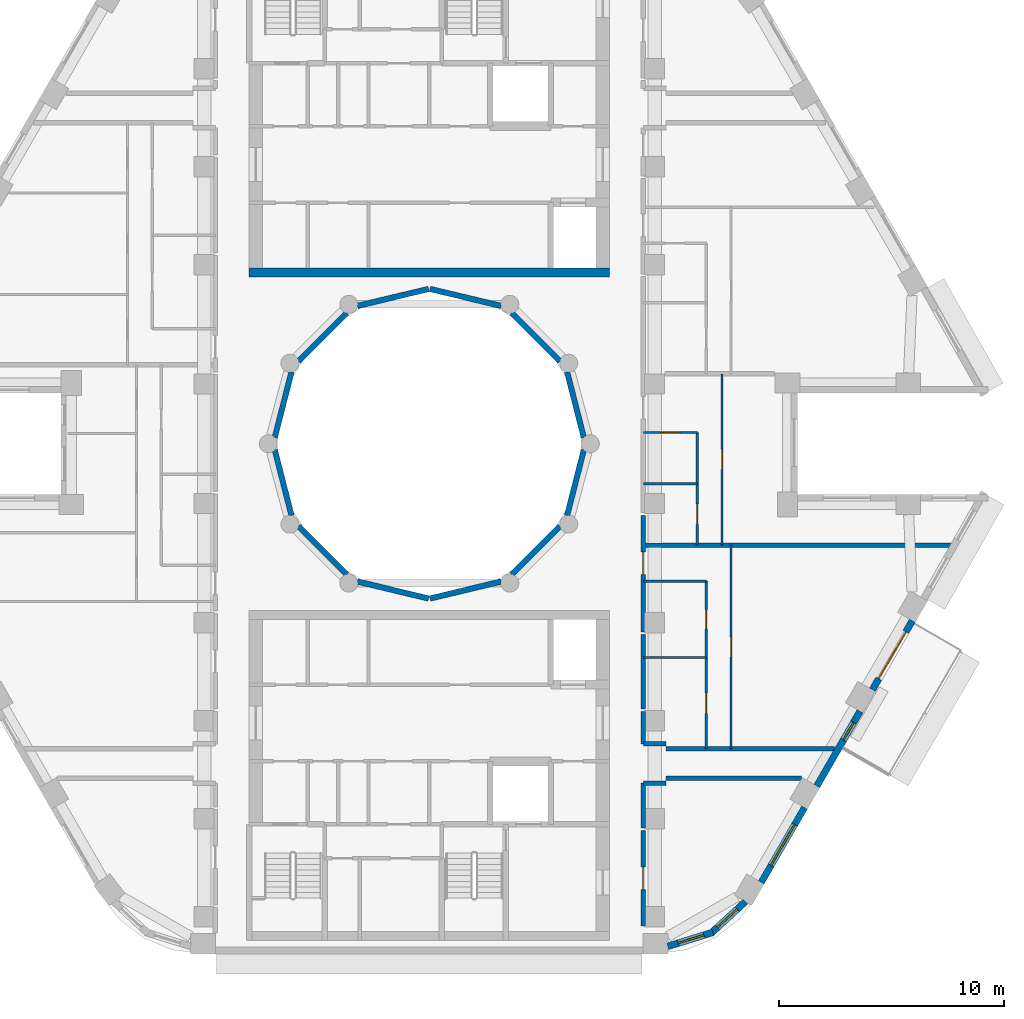
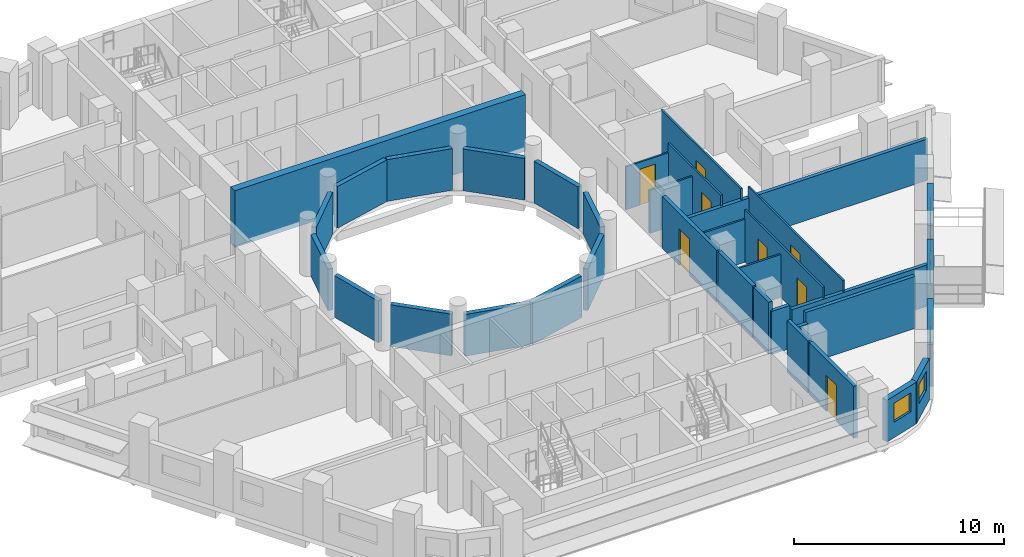
# One storey, part 5 of 14: 36 walls, 9 doors, 4 windows, 13 openings.
"""IFC4 building model written with IfcOpenShell, lengths in metres."""

from ifc_helpers import new_model, si_unit, direction, frame, frame_2d, origin, place, context, subcontext, project, spatial, rectangle, extrude, material, layer, layer_set, type_object, element, fill, save


model = new_model("IFC4")

# Units and contexts
model_context = context("Model", 3, precision=1e-05, world=origin(), true_north=direction((0.0, 1.0)))
body_context = subcontext(model_context, "Body", "Model", "MODEL_VIEW")
ifc_project = project(units=[si_unit("LENGTHUNIT", "METRE"), si_unit("AREAUNIT", "SQUARE_METRE"), si_unit("VOLUMEUNIT", "CUBIC_METRE"), si_unit("PLANEANGLEUNIT", "RADIAN"), si_unit("MASSUNIT", "GRAM", prefix="KILO")], contexts=[model_context])

# Site, building, storey
site_placement = place(None, origin())
site = spatial("IfcSite", under=ifc_project, at=site_placement, CompositionType="ELEMENT")
building_placement = place(site_placement, origin())
building = spatial("IfcBuilding", under=site, at=building_placement, Name="Nakaniwa Court", CompositionType="ELEMENT")
storey_placement = place(building_placement, frame((0.0, 0.0, 262.5)))
storey = spatial("IfcBuildingStorey", under=building, at=storey_placement, Name="L69", CompositionType="ELEMENT", Elevation=262.5)

# Wall, opening, door
ifc_material_1 = material(Name="Acoustic double stud partition")
ifc_layer_1 = layer(ifc_material_1, 0.199951171875)
ifc_layer_set_1 = layer_set([ifc_layer_1], Name="Acoustic double stud partition")
wall_type_1 = type_object("IfcWallType", Name="Acoustic double stud partition 200", PredefinedType="PARTITIONING", material=ifc_layer_set_1)
wall_1_placement = place(storey_placement, frame((89.5, 62.822998046875, 0.0), z_axis=(0.0, 0.0, 1.0), x_axis=(0.0, -1.0, 0.0)))
wall_1 = element("IfcWall", 1, at=wall_1_placement, inside=storey, type_object=wall_type_1, Name="Partition PW-057", PredefinedType="PARTITIONING", context=body_context, shape_type="SweptSolid", body=[
    extrude(rectangle(XDim=4.236083984375, YDim=0.199951171875, at=frame_2d((2.1181640625, 0.0))), origin(), (0.0, 0.0, 1.0), 3.02490234375),
])
opening_1_placement = place(wall_1_placement, frame((1.617919921875, 0.0, 0.0)))
opening_1 = element("IfcOpeningElement", 2, at=opening_1_placement, cuts=wall_1, Name="Opening D-02-03", PredefinedType="OPENING", context=body_context, shape_type="SweptSolid", body=[
    extrude(rectangle(XDim=1.0, YDim=2.10009765625, at=frame_2d((0.5, 1.050048828125))), frame((0.0, 0.10986328125, 0.0), z_axis=(0.0, -1.0, 0.0), x_axis=(1.0, 0.0, 0.0)), (0.0, 0.0, 1.0), 0.219970703125),
])
ifc_material_2 = material(Name="Solid core timber door set, black veneer", Category="wood")
door_type_1 = type_object("IfcDoorType", Name="Internal door 1000", OperationType="NOTDEFINED", PredefinedType="DOOR", material=ifc_material_2)
door_1_placement = place(opening_1_placement, origin())
door_1 = element("IfcDoor", 3, at=door_1_placement, inside=storey, type_object=door_type_1, Name="Door D-02-03 L69-055", OperationType="SINGLE_SWING_RIGHT", OverallHeight=2.10009765625, OverallWidth=1.0, PredefinedType="DOOR", context=body_context, shape_type="SweptSolid", body=[
    extrude(rectangle(XDim=1.0, YDim=2.10009765625, at=frame_2d((0.5, 1.050048828125))), frame((0.0, 0.02490234375, 0.0), z_axis=(0.0, -1.0, 0.0), x_axis=(1.0, 0.0, 0.0)), (0.0, 0.0, 1.0), 0.050048828125),
])
fill(opening_1, door_1)

# Walls
wall_2_placement = place(storey_placement, frame((89.5, 62.93701171875, 0.0), z_axis=(0.0, 0.0, 1.0), x_axis=(0.0, 1.0, 0.0)))
element("IfcWall", 4, at=wall_2_placement, inside=storey, type_object=wall_type_1, Name="Partition PW-058", PredefinedType="PARTITIONING", context=body_context, shape_type="SweptSolid", body=[
    extrude(rectangle(XDim=1.990966796875, YDim=0.199951171875, at=frame_2d((0.99560546875, 0.0))), origin(), (0.0, 0.0, 1.0), 3.02490234375),
])
wall_3_placement = place(storey_placement, frame((89.5, 66.672119140625, 0.0), z_axis=(0.0, 0.0, 1.0), x_axis=(0.0, 1.0, 0.0)))
element("IfcWall", 5, at=wall_3_placement, inside=storey, type_object=wall_type_1, Name="Partition PW-059", PredefinedType="PARTITIONING", context=body_context, shape_type="SweptSolid", body=[
    extrude(rectangle(XDim=1.44091796875, YDim=0.199951171875, at=frame_2d((0.720458984375, 0.0))), origin(), (0.0, 0.0, 1.0), 3.02490234375),
])
wall_4_placement = place(storey_placement, frame((89.5, 68.22705078125, 0.0), z_axis=(0.0, 0.0, 1.0), x_axis=(0.0, 1.0, 0.0)))
element("IfcWall", 6, at=wall_4_placement, inside=storey, type_object=wall_type_1, Name="Partition PW-060", PredefinedType="PARTITIONING", context=body_context, shape_type="SweptSolid", body=[
    extrude(rectangle(XDim=3.2958984375, YDim=0.199951171875, at=frame_2d((1.64794921875, 0.0))), origin(), (0.0, 0.0, 1.0), 3.02490234375),
])

# Wall, opening, door
wall_5_placement = place(storey_placement, frame((89.5, 76.822998046875, 0.0), z_axis=(0.0, 0.0, 1.0), x_axis=(0.0, -1.0, 0.0)))
wall_5 = element("IfcWall", 7, at=wall_5_placement, inside=storey, type_object=wall_type_1, Name="Partition PW-061", PredefinedType="PARTITIONING", context=body_context, shape_type="SweptSolid", body=[
    extrude(rectangle(XDim=5.18603515625, YDim=0.199951171875, at=frame_2d((2.593017578125, 0.0))), origin(), (0.0, 0.0, 1.0), 3.02490234375),
])
opening_2_placement = place(wall_5_placement, frame((1.623046875, 0.0, 0.0)))
opening_2 = element("IfcOpeningElement", 8, at=opening_2_placement, cuts=wall_5, Name="Opening D-01-01", PredefinedType="OPENING", context=body_context, shape_type="SweptSolid", body=[
    extrude(rectangle(XDim=1.0, YDim=2.10009765625, at=frame_2d((0.5, 1.050048828125))), frame((0.0, 0.10986328125, 0.0), z_axis=(0.0, -1.0, 0.0), x_axis=(1.0, 0.0, 0.0)), (0.0, 0.0, 1.0), 0.219970703125),
])
door_type_2 = type_object("IfcDoorType", Name="Flat entrance door 1000", OperationType="NOTDEFINED", PredefinedType="DOOR", material=ifc_material_2)
door_2_placement = place(opening_2_placement, origin())
door_2 = element("IfcDoor", 9, at=door_2_placement, inside=storey, type_object=door_type_2, Name="Door D-01-01 L69-029", OperationType="SINGLE_SWING_RIGHT", OverallHeight=2.10009765625, OverallWidth=1.0, PredefinedType="DOOR", context=body_context, shape_type="SweptSolid", body=[
    extrude(rectangle(XDim=1.0, YDim=2.10009765625, at=frame_2d((0.5, 1.050048828125))), frame((0.0, 0.02490234375, 0.0), z_axis=(0.0, -1.0, 0.0), x_axis=(1.0, 0.0, 0.0)), (0.0, 0.0, 1.0), 0.050048828125),
])
fill(opening_2, door_2)

# Walls
wall_6_placement = place(storey_placement, frame((89.5, 66.675048828125, 0.0), z_axis=(0.0, 0.0, 1.0), x_axis=(1.0, 0.0, 0.0)))
element("IfcWall", 10, at=wall_6_placement, inside=storey, type_object=wall_type_1, Name="Partition PW-077", PredefinedType="PARTITIONING", context=body_context, shape_type="SweptSolid", body=[
    extrude(rectangle(XDim=1.0, YDim=0.199951171875, at=frame_2d((0.5, 0.0))), origin(), (0.0, 0.0, 1.0), 2.5048828125),
])
wall_7_placement = place(storey_placement, frame((90.5, 66.449951171875, 0.0), z_axis=(0.0, 0.0, 1.0), x_axis=(1.0, 0.0, 0.0)))
element("IfcWall", 11, at=wall_7_placement, inside=storey, type_object=wall_type_1, Name="Partition PW-079", PredefinedType="PARTITIONING", context=body_context, shape_type="SweptSolid", body=[
    extrude(rectangle(XDim=7.484619140625, YDim=0.199951171875, at=frame_2d((3.7421875, 0.0))), origin(), (0.0, 0.0, 1.0), 2.405029296875),
])
wall_8_placement = place(storey_placement, frame((90.5, 65.14990234375, 0.0), z_axis=(0.0, 0.0, 1.0), x_axis=(1.0, 0.0, 0.0)))
element("IfcWall", 12, at=wall_8_placement, inside=storey, type_object=wall_type_1, Name="Partition PW-081", PredefinedType="PARTITIONING", context=body_context, shape_type="SweptSolid", body=[
    extrude(rectangle(XDim=6.02099609375, YDim=0.199951171875, at=frame_2d((3.010498046875, 0.0))), origin(), (0.0, 0.0, 1.0), 3.02490234375),
])
wall_9_placement = place(storey_placement, frame((89.5, 64.925048828125, 0.0), z_axis=(0.0, 0.0, 1.0), x_axis=(1.0, 0.0, 0.0)))
element("IfcWall", 13, at=wall_9_placement, inside=storey, type_object=wall_type_1, Name="Partition PW-083", PredefinedType="PARTITIONING", context=body_context, shape_type="SweptSolid", body=[
    extrude(rectangle(XDim=1.0, YDim=0.199951171875, at=frame_2d((0.5, 0.0))), origin(), (0.0, 0.0, 1.0), 2.5048828125),
])
wall_10_placement = place(storey_placement, frame((89.5, 75.5, 0.0), z_axis=(0.0, 0.0, 1.0), x_axis=(1.0, 0.0, 0.0)))
element("IfcWall", 14, at=wall_10_placement, inside=storey, type_object=wall_type_1, Name="Partition PW-103", PredefinedType="PARTITIONING", context=body_context, shape_type="SweptSolid", body=[
    extrude(rectangle(XDim=13.70947265625, YDim=0.199951171875, at=frame_2d((6.854736328125, 0.0))), origin(), (0.0, 0.0, 1.0), 2.405029296875),
])

# Wall, opening, window
ifc_material_3 = material(Name="Charcoal ceramic cladding")
ifc_layer_2 = layer(ifc_material_3, 0.02, Name="Ceramic cladding")
ifc_material_4 = material(Name="Ventilated air cavity")
ifc_layer_3 = layer(ifc_material_4, 0.04, ventilated=True, Name="Ventilated cavity")
ifc_material_5 = material(Name="Mineral wool insulation")
ifc_layer_4 = layer(ifc_material_5, 0.1, Name="Insulation")
ifc_material_6 = material(Name="Cement bonded sheathing board")
ifc_layer_5 = layer(ifc_material_6, 0.012, Name="Sheathing")
ifc_material_7 = material(Name="Cold-formed galvanised stud frame with mineral wool infill")
ifc_layer_6 = layer(ifc_material_7, 0.1, Name="Stud frame")
ifc_material_8 = material(Name="Fire-rated gypsum plasterboard lining")
ifc_layer_7 = layer(ifc_material_8, 0.028, Name="Lining")
ifc_layer_set_2 = layer_set([ifc_layer_2, ifc_layer_3, ifc_layer_4, ifc_layer_5, ifc_layer_6, ifc_layer_7], Name="Charcoal ceramic faced external wall system")
wall_type_2 = type_object("IfcWallType", Name="Black ceramic faced external wall 300", PredefinedType="SOLIDWALL", material=ifc_layer_set_2)
wall_11_placement = place(storey_placement, frame((90.585693359375, 57.68408203125, 0.0), z_axis=(0.0, 0.0, 1.0), x_axis=(0.954941641926, 0.296793632875, 0.0)))
wall_11 = element("IfcWall", 15, at=wall_11_placement, inside=storey, type_object=wall_type_2, Name="L69 external wall 27", PredefinedType="SOLIDWALL", context=body_context, shape_type="SweptSolid", body=[
    extrude(rectangle(XDim=2.1025390625, YDim=0.300048828125, at=frame_2d((1.05126953125, 0.0))), origin(), (0.0, 0.0, 1.0), 2.425048828125),
])
opening_3_placement = place(wall_11_placement, frame((0.490234375, 0.0, 0.89990234375)))
opening_3 = element("IfcOpeningElement", 16, at=opening_3_placement, cuts=wall_11, Name="Opening W6.26", PredefinedType="OPENING", context=body_context, shape_type="SweptSolid", body=[
    extrude(rectangle(XDim=1.199951171875, YDim=1.10009765625, at=frame_2d((0.60009765625, 0.550048828125))), frame((0.0, 0.159912109375, 0.0), z_axis=(0.0, -1.0, 0.0), x_axis=(1.0, 0.0, 0.0)), (0.0, 0.0, 1.0), 0.320068359375),
])
ifc_material_9 = material(Name="Black anodised aluminium frame with dark low-E laminated double glazing", Category="aluminium")
window_type_1 = type_object("IfcWindowType", Name="Dark glass window 1200x1100 sill 900", PartitioningType="SINGLE_PANEL", PredefinedType="WINDOW", material=ifc_material_9)
window_1_placement = place(opening_3_placement, origin())
window_1 = element("IfcWindow", 17, at=window_1_placement, inside=storey, type_object=window_type_1, Name="L69 habitable room window 27-0", OverallHeight=1.10009765625, OverallWidth=1.199951171875, PartitioningType="SINGLE_PANEL", PredefinedType="WINDOW", context=body_context, shape_type="SweptSolid", body=[
    extrude(rectangle(XDim=1.199951171875, YDim=1.10009765625, at=frame_2d((0.60009765625, 0.550048828125))), frame((0.0, 0.030029296875, 0.0), z_axis=(0.0, -1.0, 0.0), x_axis=(1.0, 0.0, 0.0)), (0.0, 0.0, 1.0), 0.06005859375),
])
fill(opening_3, window_1)

wall_12_placement = place(storey_placement, frame((92.489501953125, 58.247314453125, 0.0), z_axis=(0.0, 0.0, 1.0), x_axis=(0.734830223907, 0.678251090698, 0.0)))
wall_12 = element("IfcWall", 18, at=wall_12_placement, inside=storey, type_object=wall_type_2, Name="L69 external wall 28", PredefinedType="SOLIDWALL", context=body_context, shape_type="SweptSolid", body=[
    extrude(rectangle(XDim=2.09716796875, YDim=0.300048828125, at=frame_2d((1.048583984375, 0.0))), origin(), (0.0, 0.0, 1.0), 2.425048828125),
])
opening_4_placement = place(wall_12_placement, frame((0.409423828125, 0.0, 0.89990234375)))
opening_4 = element("IfcOpeningElement", 19, at=opening_4_placement, cuts=wall_12, Name="Opening W6.27", PredefinedType="OPENING", context=body_context, shape_type="SweptSolid", body=[
    extrude(rectangle(XDim=1.199951171875, YDim=1.10009765625, at=frame_2d((0.60009765625, 0.550048828125))), frame((0.0, 0.159912109375, 0.0), z_axis=(0.0, -1.0, 0.0), x_axis=(1.0, 0.0, 0.0)), (0.0, 0.0, 1.0), 0.320068359375),
])
window_2_placement = place(opening_4_placement, origin())
window_2 = element("IfcWindow", 20, at=window_2_placement, inside=storey, type_object=window_type_1, Name="L69 habitable room window 28-0", OverallHeight=1.10009765625, OverallWidth=1.199951171875, PartitioningType="SINGLE_PANEL", PredefinedType="WINDOW", context=body_context, shape_type="SweptSolid", body=[
    extrude(rectangle(XDim=1.199951171875, YDim=1.10009765625, at=frame_2d((0.60009765625, 0.550048828125))), frame((0.0, 0.030029296875, 0.0), z_axis=(0.0, -1.0, 0.0), x_axis=(1.0, 0.0, 0.0)), (0.0, 0.0, 1.0), 0.06005859375),
])
fill(opening_4, window_2)

wall_13_placement = place(storey_placement, frame((94.73583984375, 60.523193359375, 0.0), z_axis=(0.0, 0.0, 1.0), x_axis=(0.499984490703, 0.866034357896, 0.0)))
wall_13 = element("IfcWall", 21, at=wall_13_placement, inside=storey, type_object=wall_type_2, Name="L69 external wall 29", PredefinedType="SOLIDWALL", context=body_context, shape_type="SweptSolid", body=[
    extrude(rectangle(XDim=3.84423828125, YDim=0.300048828125, at=frame_2d((1.922119140625, 0.0))), origin(), (0.0, 0.0, 1.0), 2.425048828125),
])
opening_5_placement = place(wall_13_placement, frame((0.8720703125, 0.0, 0.89990234375)))
opening_5 = element("IfcOpeningElement", 22, at=opening_5_placement, cuts=wall_13, Name="Opening W7.28", PredefinedType="OPENING", context=body_context, shape_type="SweptSolid", body=[
    extrude(rectangle(XDim=2.10009765625, YDim=1.10009765625, at=frame_2d((1.050048828125, 0.550048828125))), frame((0.0, 0.159912109375, 0.0), z_axis=(0.0, -1.0, 0.0), x_axis=(1.0, 0.0, 0.0)), (0.0, 0.0, 1.0), 0.320068359375),
])
window_type_2 = type_object("IfcWindowType", Name="Dark glass window 2100x1100 sill 900", PartitioningType="SINGLE_PANEL", PredefinedType="WINDOW", material=ifc_material_9)
window_3_placement = place(opening_5_placement, origin())
window_3 = element("IfcWindow", 23, at=window_3_placement, inside=storey, type_object=window_type_2, Name="L69 habitable room window 29-0", OverallHeight=1.10009765625, OverallWidth=2.10009765625, PartitioningType="SINGLE_PANEL", PredefinedType="WINDOW", context=body_context, shape_type="SweptSolid", body=[
    extrude(rectangle(XDim=2.10009765625, YDim=1.10009765625, at=frame_2d((1.050048828125, 0.550048828125))), frame((0.0, 0.030029296875, 0.0), z_axis=(0.0, -1.0, 0.0), x_axis=(1.0, 0.0, 0.0)), (0.0, 0.0, 1.0), 0.06005859375),
])
fill(opening_5, window_3)

wall_14_placement = place(storey_placement, frame((97.2041015625, 64.798095703125, 0.0), z_axis=(0.0, 0.0, 1.0), x_axis=(0.499984490703, 0.866034357896, 0.0)))
wall_14 = element("IfcWall", 24, at=wall_14_placement, inside=storey, type_object=wall_type_2, Name="L69 external wall 30", PredefinedType="SOLIDWALL", context=body_context, shape_type="SweptSolid", body=[
    extrude(rectangle(XDim=3.84423828125, YDim=0.300048828125, at=frame_2d((1.922119140625, 0.0))), origin(), (0.0, 0.0, 1.0), 2.425048828125),
])
opening_6_placement = place(wall_14_placement, frame((2.36474609375, 0.0, 0.89990234375)))
opening_6 = element("IfcOpeningElement", 25, at=opening_6_placement, cuts=wall_14, Name="Opening W9.29", PredefinedType="OPENING", context=body_context, shape_type="SweptSolid", body=[
    extrude(rectangle(XDim=0.89990234375, YDim=1.10009765625, at=frame_2d((0.449951171875, 0.550048828125))), frame((0.0, 0.159912109375, 0.0), z_axis=(0.0, -1.0, 0.0), x_axis=(1.0, 0.0, 0.0)), (0.0, 0.0, 1.0), 0.320068359375),
])
window_type_3 = type_object("IfcWindowType", Name="Dark glass window 900x1100 sill 900", PartitioningType="SINGLE_PANEL", PredefinedType="WINDOW", material=ifc_material_9)
window_4_placement = place(opening_6_placement, origin())
window_4 = element("IfcWindow", 26, at=window_4_placement, inside=storey, type_object=window_type_3, Name="L69 living window 30-1", OverallHeight=1.10009765625, OverallWidth=0.89990234375, PartitioningType="SINGLE_PANEL", PredefinedType="WINDOW", context=body_context, shape_type="SweptSolid", body=[
    extrude(rectangle(XDim=0.89990234375, YDim=1.10009765625, at=frame_2d((0.449951171875, 0.550048828125))), frame((0.0, 0.030029296875, 0.0), z_axis=(0.0, -1.0, 0.0), x_axis=(1.0, 0.0, 0.0)), (0.0, 0.0, 1.0), 0.06005859375),
])
fill(opening_6, window_4)

# Wall, opening, door
wall_15_placement = place(storey_placement, frame((99.672119140625, 69.072998046875, 0.0), z_axis=(0.0, 0.0, 1.0), x_axis=(0.500010404316, 0.866019396766, 0.0)))
wall_15 = element("IfcWall", 27, at=wall_15_placement, inside=storey, type_object=wall_type_2, Name="L69 external wall 31", PredefinedType="SOLIDWALL", context=body_context, shape_type="SweptSolid", body=[
    extrude(rectangle(XDim=3.54736328125, YDim=0.300048828125, at=frame_2d((1.773681640625, 0.0))), origin(), (0.0, 0.0, 1.0), 2.425048828125),
])
opening_7_placement = place(wall_15_placement, frame((0.573486328125, 0.0, 0.0)))
opening_7 = element("IfcOpeningElement", 28, at=opening_7_placement, cuts=wall_15, Name="Opening XD13.02", PredefinedType="OPENING", context=body_context, shape_type="SweptSolid", body=[
    extrude(rectangle(XDim=2.39990234375, YDim=2.0, at=frame_2d((1.199951171875, 1.0))), frame((0.0, 0.159912109375, 0.0), z_axis=(0.0, -1.0, 0.0), x_axis=(1.0, 0.0, 0.0)), (0.0, 0.0, 1.0), 0.320068359375),
])
ifc_material_10 = material(Name="Black powder-coated aluminium frame with dark laminated glass", Category="aluminium")
door_type_3 = type_object("IfcDoorType", Name="Balcony sliding door 2400x2000", OperationType="DOUBLE_DOOR_SLIDING", PredefinedType="DOOR", material=ifc_material_10)
door_3_placement = place(opening_7_placement, origin())
door_3 = element("IfcDoor", 29, at=door_3_placement, inside=storey, type_object=door_type_3, Name="L69 balcony sliding door 02", OperationType="DOUBLE_DOOR_SLIDING", OverallHeight=2.0, OverallWidth=2.39990234375, PredefinedType="DOOR", context=body_context, shape_type="SweptSolid", body=[
    extrude(rectangle(XDim=2.39990234375, YDim=2.0, at=frame_2d((1.199951171875, 1.0))), frame((0.0, 0.02490234375, 0.0), z_axis=(0.0, -1.0, 0.0), x_axis=(1.0, 0.0, 0.0)), (0.0, 0.0, 1.0), 0.050048828125),
])
fill(opening_7, door_3)

# Walls
ifc_layer_8 = layer(ifc_material_3, 0.02, Name="Ceramic cladding")
ifc_layer_9 = layer(ifc_material_4, 0.04, ventilated=True, Name="Ventilated cavity")
ifc_layer_10 = layer(ifc_material_5, 0.075, Name="Insulation")
ifc_layer_11 = layer(ifc_material_6, 0.012, Name="Sheathing")
ifc_layer_12 = layer(ifc_material_7, 0.075, Name="Stud frame")
ifc_layer_13 = layer(ifc_material_8, 0.028, Name="Lining")
ifc_layer_set_3 = layer_set([ifc_layer_8, ifc_layer_9, ifc_layer_10, ifc_layer_11, ifc_layer_12, ifc_layer_13], Name="Charcoal ceramic faced external wall system")
wall_type_3 = type_object("IfcWallType", Name="Charcoal ceramic faced well wall 250", PredefinedType="SOLIDWALL", material=ifc_layer_set_3)
wall_16_placement = place(storey_placement, frame((86.8603515625, 79.72998046875, 0.0), z_axis=(0.0, 0.0, 1.0), x_axis=(-0.247055971283, -0.969001211069, 0.0)))
element("IfcWall", 30, at=wall_16_placement, inside=storey, type_object=wall_type_3, Name="L69 external wall 36", PredefinedType="SOLIDWALL", context=body_context, shape_type="SweptSolid", body=[
    extrude(rectangle(XDim=3.010009765625, YDim=0.25, at=frame_2d((1.5048828125, 0.0))), origin(), (0.0, 0.0, 1.0), 2.425048828125),
])
wall_17_placement = place(storey_placement, frame((85.8056640625, 76.339111328125, 0.0), z_axis=(0.0, 0.0, 1.0), x_axis=(-0.707106781187, -0.707106781187, 0.0)))
element("IfcWall", 31, at=wall_17_placement, inside=storey, type_object=wall_type_3, Name="L69 external wall 37", PredefinedType="SOLIDWALL", context=body_context, shape_type="SweptSolid", body=[
    extrude(rectangle(XDim=3.033203125, YDim=0.25, at=frame_2d((1.5166015625, 0.0))), origin(), (0.0, 0.0, 1.0), 2.425048828125),
])
for number, where, z_axis, x_axis, name in (
    (32, (83.186279296875, 73.880615234375, 0.0), (0.0, 0.0, 1.0), (-0.972773113459, -0.231759508395, 0.0), "L69 external wall 38"),
    (33, (79.970947265625, 73.12841796875, 0.0), (0.0, 0.0, 1.0), (-0.972773113459, 0.231759508395, 0.0), "L69 external wall 39"),
):
    element("IfcWall", number, at=place(storey_placement, frame(where, z_axis=z_axis, x_axis=x_axis)), inside=storey, type_object=wall_type_3, Name=name, PredefinedType="SOLIDWALL", context=body_context, shape_type="SweptSolid", body=[
        extrude(rectangle(XDim=3.24560546875, YDim=0.25, at=frame_2d((1.622802734375, 0.0))), origin(), (0.0, 0.0, 1.0), 2.425048828125),
    ])
wall_18_placement = place(storey_placement, frame((76.339111328125, 74.1943359375, 0.0), z_axis=(0.0, 0.0, 1.0), x_axis=(-0.707106781187, 0.707106781187, 0.0)))
element("IfcWall", 34, at=wall_18_placement, inside=storey, type_object=wall_type_3, Name="L69 external wall 40", PredefinedType="SOLIDWALL", context=body_context, shape_type="SweptSolid", body=[
    extrude(rectangle(XDim=3.033203125, YDim=0.25, at=frame_2d((1.5166015625, 0.0))), origin(), (0.0, 0.0, 1.0), 2.425048828125),
])
for number, where, z_axis, x_axis, name in (
    (35, (73.88330078125, 76.813232421875, 0.0), (0.0, 0.0, 1.0), (-0.247055971283, 0.969001211069, 0.0), "L69 external wall 41"),
    (36, (73.1396484375, 80.27001953125, 0.0), (0.0, 0.0, 1.0), (0.247055971283, 0.969001211069, 0.0), "L69 external wall 42"),
):
    element("IfcWall", number, at=place(storey_placement, frame(where, z_axis=z_axis, x_axis=x_axis)), inside=storey, type_object=wall_type_3, Name=name, PredefinedType="SOLIDWALL", context=body_context, shape_type="SweptSolid", body=[
        extrude(rectangle(XDim=3.010009765625, YDim=0.25, at=frame_2d((1.5048828125, 0.0))), origin(), (0.0, 0.0, 1.0), 2.425048828125),
    ])
wall_19_placement = place(storey_placement, frame((74.1943359375, 83.660888671875, 0.0), z_axis=(0.0, 0.0, 1.0), x_axis=(0.707106781187, 0.707106781187, 0.0)))
element("IfcWall", 37, at=wall_19_placement, inside=storey, type_object=wall_type_3, Name="L69 external wall 43", PredefinedType="SOLIDWALL", context=body_context, shape_type="SweptSolid", body=[
    extrude(rectangle(XDim=3.033203125, YDim=0.25, at=frame_2d((1.5166015625, 0.0))), origin(), (0.0, 0.0, 1.0), 2.425048828125),
])
for number, where, z_axis, x_axis, name in (
    (38, (76.813720703125, 86.119384765625, 0.0), (0.0, 0.0, 1.0), (0.972773113459, 0.231759508395, 0.0), "L69 external wall 44"),
    (39, (80.029052734375, 86.87158203125, 0.0), (0.0, 0.0, 1.0), (0.972773113459, -0.231759508395, 0.0), "L69 external wall 45"),
):
    element("IfcWall", number, at=place(storey_placement, frame(where, z_axis=z_axis, x_axis=x_axis)), inside=storey, type_object=wall_type_3, Name=name, PredefinedType="SOLIDWALL", context=body_context, shape_type="SweptSolid", body=[
        extrude(rectangle(XDim=3.24560546875, YDim=0.25, at=frame_2d((1.622802734375, 0.0))), origin(), (0.0, 0.0, 1.0), 2.425048828125),
    ])
wall_20_placement = place(storey_placement, frame((83.660888671875, 85.8056640625, 0.0), z_axis=(0.0, 0.0, 1.0), x_axis=(0.707106781187, -0.707106781187, 0.0)))
element("IfcWall", 40, at=wall_20_placement, inside=storey, type_object=wall_type_3, Name="L69 external wall 46", PredefinedType="SOLIDWALL", context=body_context, shape_type="SweptSolid", body=[
    extrude(rectangle(XDim=3.033203125, YDim=0.25, at=frame_2d((1.5166015625, 0.0))), origin(), (0.0, 0.0, 1.0), 2.425048828125),
])
wall_21_placement = place(storey_placement, frame((86.11669921875, 83.186767578125, 0.0), z_axis=(0.0, 0.0, 1.0), x_axis=(0.247055971283, -0.969001211069, 0.0)))
element("IfcWall", 41, at=wall_21_placement, inside=storey, type_object=wall_type_3, Name="L69 external wall 47", PredefinedType="SOLIDWALL", context=body_context, shape_type="SweptSolid", body=[
    extrude(rectangle(XDim=3.010009765625, YDim=0.25, at=frame_2d((1.5048828125, 0.0))), origin(), (0.0, 0.0, 1.0), 2.425048828125),
])
ifc_material_11 = material(Name="Concrete C80/100", Category="concrete")
ifc_layer_14 = layer(ifc_material_11, 0.39990234375)
ifc_layer_set_4 = layer_set([ifc_layer_14], Name="Concrete C80/100")
wall_type_4 = type_object("IfcWallType", Name="Concrete core well wall 400 C80", PredefinedType="SHEAR", material=ifc_layer_set_4)
wall_22_placement = place(storey_placement, frame((72.00390625, 87.60009765625, -0.27490234375), z_axis=(0.0, 0.0, 1.0), x_axis=(1.0, 0.0, 0.0)))
element("IfcWall", 42, at=wall_22_placement, inside=storey, type_object=wall_type_4, Name="Core wall SW-126", PredefinedType="SHEAR", context=body_context, shape_type="SweptSolid", body=[
    extrude(rectangle(XDim=15.9921875, YDim=0.39990234375, at=frame_2d((7.99609375, 0.0))), origin(), (0.0, 0.0, 1.0), 3.2998046875),
])
ifc_material_12 = material(Name="Single stud plasterboard partition")
ifc_layer_15 = layer(ifc_material_12, 0.10009765625)
ifc_layer_set_5 = layer_set([ifc_layer_15], Name="Single stud plasterboard partition")
wall_type_5 = type_object("IfcWallType", Name="Single stud plasterboard partition 100", PredefinedType="PARTITIONING", material=ifc_layer_set_5)
wall_23_placement = place(storey_placement, frame((89.5, 70.513916015625, 0.0), z_axis=(0.0, 0.0, 1.0), x_axis=(1.0, 0.0, 0.0)))
element("IfcWall", 43, at=wall_23_placement, inside=storey, type_object=wall_type_5, Name="Partition PW-097", PredefinedType="PARTITIONING", context=body_context, shape_type="SweptSolid", body=[
    extrude(rectangle(XDim=2.800048828125, YDim=0.10009765625, at=frame_2d((1.39990234375, 0.0))), origin(), (0.0, 0.0, 1.0), 2.5048828125),
])

# Wall, openings, doors
wall_24_placement = place(storey_placement, frame((92.300048828125, 66.449951171875, 0.0), z_axis=(0.0, 0.0, 1.0), x_axis=(0.0, 1.0, 0.0)))
wall_24 = element("IfcWall", 44, at=wall_24_placement, inside=storey, type_object=wall_type_5, Name="Partition PW-098", PredefinedType="PARTITIONING", context=body_context, shape_type="SweptSolid", body=[
    extrude(rectangle(XDim=7.449951171875, YDim=0.10009765625, at=frame_2d((3.72509765625, 0.0))), origin(), (0.0, 0.0, 1.0), 3.02490234375),
])
opening_8_placement = place(wall_24_placement, frame((1.58203125, 0.0, 0.0)))
opening_8 = element("IfcOpeningElement", 45, at=opening_8_placement, cuts=wall_24, Name="Opening D-33-01", PredefinedType="OPENING", context=body_context, shape_type="SweptSolid", body=[
    extrude(rectangle(XDim=0.89990234375, YDim=2.10009765625, at=frame_2d((0.449951171875, 1.050048828125))), frame((0.0, 0.06005859375, 0.0), z_axis=(0.0, -1.0, 0.0), x_axis=(1.0, 0.0, 0.0)), (0.0, 0.0, 1.0), 0.1201171875),
])
opening_9_placement = place(wall_24_placement, frame((5.33203125, 0.0, 0.0)))
opening_9 = element("IfcOpeningElement", 46, at=opening_9_placement, cuts=wall_24, Name="Opening D-03-01", PredefinedType="OPENING", context=body_context, shape_type="SweptSolid", body=[
    extrude(rectangle(XDim=0.85009765625, YDim=2.10009765625, at=frame_2d((0.425048828125, 1.050048828125))), frame((0.0, 0.06005859375, 0.0), z_axis=(0.0, -1.0, 0.0), x_axis=(1.0, 0.0, 0.0)), (0.0, 0.0, 1.0), 0.1201171875),
])
ifc_material_13 = material(Name="Moisture sealed timber door set", Category="wood")
door_type_4 = type_object("IfcDoorType", Name="Bathroom door 850", OperationType="NOTDEFINED", PredefinedType="DOOR", material=ifc_material_13)
door_4_placement = place(opening_9_placement, origin())
door_4 = element("IfcDoor", 47, at=door_4_placement, inside=storey, type_object=door_type_4, Name="Door D-03-01 L69-031", OperationType="SINGLE_SWING_RIGHT", OverallHeight=2.10009765625, OverallWidth=0.85009765625, PredefinedType="DOOR", context=body_context, shape_type="SweptSolid", body=[
    extrude(rectangle(XDim=0.85009765625, YDim=2.10009765625, at=frame_2d((0.425048828125, 1.050048828125))), frame((0.0, 0.02490234375, 0.0), z_axis=(0.0, -1.0, 0.0), x_axis=(1.0, 0.0, 0.0)), (0.0, 0.0, 1.0), 0.050048828125),
])
fill(opening_9, door_4)
door_type_5 = type_object("IfcDoorType", Name="Internal door 900", OperationType="NOTDEFINED", PredefinedType="DOOR", material=ifc_material_2)
door_5_placement = place(opening_8_placement, origin())
door_5 = element("IfcDoor", 48, at=door_5_placement, inside=storey, type_object=door_type_5, Name="Door D-33-01 L69-030", OperationType="SINGLE_SWING_LEFT", OverallHeight=2.10009765625, OverallWidth=0.89990234375, PredefinedType="DOOR", context=body_context, shape_type="SweptSolid", body=[
    extrude(rectangle(XDim=0.89990234375, YDim=2.10009765625, at=frame_2d((0.449951171875, 1.050048828125))), frame((0.0, 0.02490234375, 0.0), z_axis=(0.0, -1.0, 0.0), x_axis=(1.0, 0.0, 0.0)), (0.0, 0.0, 1.0), 0.050048828125),
])
fill(opening_8, door_5)

# Wall
wall_25_placement = place(storey_placement, frame((89.5, 73.89990234375, 0.0), z_axis=(0.0, 0.0, 1.0), x_axis=(1.0, 0.0, 0.0)))
element("IfcWall", 49, at=wall_25_placement, inside=storey, type_object=wall_type_5, Name="Partition PW-100", PredefinedType="PARTITIONING", context=body_context, shape_type="SweptSolid", body=[
    extrude(rectangle(XDim=2.800048828125, YDim=0.10009765625, at=frame_2d((1.39990234375, 0.0))), origin(), (0.0, 0.0, 1.0), 2.5048828125),
])

# Wall, opening, door
wall_26_placement = place(storey_placement, frame((93.39990234375, 75.5, 0.0), z_axis=(0.0, 0.0, 1.0), x_axis=(0.0, -1.0, 0.0)))
wall_26 = element("IfcWall", 50, at=wall_26_placement, inside=storey, type_object=wall_type_5, Name="Partition PW-101", PredefinedType="PARTITIONING", context=body_context, shape_type="SweptSolid", body=[
    extrude(rectangle(XDim=9.050048828125, YDim=0.10009765625, at=frame_2d((4.52490234375, 0.0))), origin(), (0.0, 0.0, 1.0), 3.02490234375),
])
opening_10_placement = place(wall_26_placement, frame((4.074951171875, 0.0, 0.0)))
opening_10 = element("IfcOpeningElement", 51, at=opening_10_placement, cuts=wall_26, Name="Opening D-33-02", PredefinedType="OPENING", context=body_context, shape_type="SweptSolid", body=[
    extrude(rectangle(XDim=0.89990234375, YDim=2.10009765625, at=frame_2d((0.449951171875, 1.050048828125))), frame((0.0, 0.06005859375, 0.0), z_axis=(0.0, -1.0, 0.0), x_axis=(1.0, 0.0, 0.0)), (0.0, 0.0, 1.0), 0.1201171875),
])
door_6_placement = place(opening_10_placement, origin())
door_6 = element("IfcDoor", 52, at=door_6_placement, inside=storey, type_object=door_type_5, Name="Door D-33-02 L69-032", OperationType="SINGLE_SWING_LEFT", OverallHeight=2.10009765625, OverallWidth=0.89990234375, PredefinedType="DOOR", context=body_context, shape_type="SweptSolid", body=[
    extrude(rectangle(XDim=0.89990234375, YDim=2.10009765625, at=frame_2d((0.449951171875, 1.050048828125))), frame((0.0, 0.02490234375, 0.0), z_axis=(0.0, -1.0, 0.0), x_axis=(1.0, 0.0, 0.0)), (0.0, 0.0, 1.0), 0.050048828125),
])
fill(opening_10, door_6)

# Wall
wall_27_placement = place(storey_placement, frame((89.5, 78.22705078125, 0.0), z_axis=(0.0, 0.0, 1.0), x_axis=(1.0, 0.0, 0.0)))
element("IfcWall", 53, at=wall_27_placement, inside=storey, type_object=wall_type_5, Name="Partition PW-104", PredefinedType="PARTITIONING", context=body_context, shape_type="SweptSolid", body=[
    extrude(rectangle(XDim=2.39990234375, YDim=0.10009765625, at=frame_2d((1.199951171875, 0.0))), origin(), (0.0, 0.0, 1.0), 2.5048828125),
])

# Wall, opening, door
wall_28_placement = place(storey_placement, frame((91.89990234375, 75.5, 0.0), z_axis=(0.0, 0.0, 1.0), x_axis=(0.0, 1.0, 0.0)))
wall_28 = element("IfcWall", 54, at=wall_28_placement, inside=storey, type_object=wall_type_5, Name="Partition PW-105", PredefinedType="PARTITIONING", context=body_context, shape_type="SweptSolid", body=[
    extrude(rectangle(XDim=5.0, YDim=0.10009765625, at=frame_2d((2.5, 0.0))), origin(), (0.0, 0.0, 1.0), 3.02490234375),
])
opening_11_placement = place(wall_28_placement, frame((0.9140625, 0.0, 0.0)))
opening_11 = element("IfcOpeningElement", 55, at=opening_11_placement, cuts=wall_28, Name="Opening D-33-03", PredefinedType="OPENING", context=body_context, shape_type="SweptSolid", body=[
    extrude(rectangle(XDim=0.89990234375, YDim=2.10009765625, at=frame_2d((0.449951171875, 1.050048828125))), frame((0.0, 0.06005859375, 0.0), z_axis=(0.0, -1.0, 0.0), x_axis=(1.0, 0.0, 0.0)), (0.0, 0.0, 1.0), 0.1201171875),
])
door_7_placement = place(opening_11_placement, origin())
door_7 = element("IfcDoor", 56, at=door_7_placement, inside=storey, type_object=door_type_5, Name="Door D-33-03 L69-034", OperationType="SINGLE_SWING_LEFT", OverallHeight=2.10009765625, OverallWidth=0.89990234375, PredefinedType="DOOR", context=body_context, shape_type="SweptSolid", body=[
    extrude(rectangle(XDim=0.89990234375, YDim=2.10009765625, at=frame_2d((0.449951171875, 1.050048828125))), frame((0.0, 0.02490234375, 0.0), z_axis=(0.0, -1.0, 0.0), x_axis=(1.0, 0.0, 0.0)), (0.0, 0.0, 1.0), 0.050048828125),
])
fill(opening_11, door_7)

wall_29_placement = place(storey_placement, frame((91.89990234375, 80.5, 0.0), z_axis=(0.0, 0.0, 1.0), x_axis=(-1.0, 0.0, 0.0)))
wall_29 = element("IfcWall", 57, at=wall_29_placement, inside=storey, type_object=wall_type_5, Name="Partition PW-106", PredefinedType="PARTITIONING", context=body_context, shape_type="SweptSolid", body=[
    extrude(rectangle(XDim=2.39990234375, YDim=0.10009765625, at=frame_2d((1.199951171875, 0.0))), origin(), (0.0, 0.0, 1.0), 2.5048828125),
])
opening_12_placement = place(wall_29_placement, frame((0.77490234375, 0.0, 0.0)))
opening_12 = element("IfcOpeningElement", 58, at=opening_12_placement, cuts=wall_29, Name="Opening D-03-02", PredefinedType="OPENING", context=body_context, shape_type="SweptSolid", body=[
    extrude(rectangle(XDim=0.85009765625, YDim=2.10009765625, at=frame_2d((0.425048828125, 1.050048828125))), frame((0.0, 0.06005859375, 0.0), z_axis=(0.0, -1.0, 0.0), x_axis=(1.0, 0.0, 0.0)), (0.0, 0.0, 1.0), 0.1201171875),
])
door_8_placement = place(opening_12_placement, origin())
door_8 = element("IfcDoor", 59, at=door_8_placement, inside=storey, type_object=door_type_4, Name="Door D-03-02 L69-035", OperationType="SINGLE_SWING_RIGHT", OverallHeight=2.10009765625, OverallWidth=0.85009765625, PredefinedType="DOOR", context=body_context, shape_type="SweptSolid", body=[
    extrude(rectangle(XDim=0.85009765625, YDim=2.10009765625, at=frame_2d((0.425048828125, 1.050048828125))), frame((0.0, 0.02490234375, 0.0), z_axis=(0.0, -1.0, 0.0), x_axis=(1.0, 0.0, 0.0)), (0.0, 0.0, 1.0), 0.050048828125),
])
fill(opening_12, door_8)

wall_30_placement = place(storey_placement, frame((93.0, 83.10009765625, 0.0), z_axis=(0.0, 0.0, 1.0), x_axis=(0.0, -1.0, 0.0)))
wall_30 = element("IfcWall", 60, at=wall_30_placement, inside=storey, type_object=wall_type_5, Name="Partition PW-107", PredefinedType="PARTITIONING", context=body_context, shape_type="SweptSolid", body=[
    extrude(rectangle(XDim=7.60009765625, YDim=0.10009765625, at=frame_2d((3.800048828125, 0.0))), origin(), (0.0, 0.0, 1.0), 3.02490234375),
])
opening_13_placement = place(wall_30_placement, frame((3.35009765625, 0.0, 0.0)))
opening_13 = element("IfcOpeningElement", 61, at=opening_13_placement, cuts=wall_30, Name="Opening D-33-04", PredefinedType="OPENING", context=body_context, shape_type="SweptSolid", body=[
    extrude(rectangle(XDim=0.89990234375, YDim=2.10009765625, at=frame_2d((0.449951171875, 1.050048828125))), frame((0.0, 0.06005859375, 0.0), z_axis=(0.0, -1.0, 0.0), x_axis=(1.0, 0.0, 0.0)), (0.0, 0.0, 1.0), 0.1201171875),
])
door_9_placement = place(opening_13_placement, origin())
door_9 = element("IfcDoor", 62, at=door_9_placement, inside=storey, type_object=door_type_5, Name="Door D-33-04 L69-036", OperationType="SINGLE_SWING_LEFT", OverallHeight=2.10009765625, OverallWidth=0.89990234375, PredefinedType="DOOR", context=body_context, shape_type="SweptSolid", body=[
    extrude(rectangle(XDim=0.89990234375, YDim=2.10009765625, at=frame_2d((0.449951171875, 1.050048828125))), frame((0.0, 0.02490234375, 0.0), z_axis=(0.0, -1.0, 0.0), x_axis=(1.0, 0.0, 0.0)), (0.0, 0.0, 1.0), 0.050048828125),
])
fill(opening_13, door_9)

save(model, "model.ifc")
